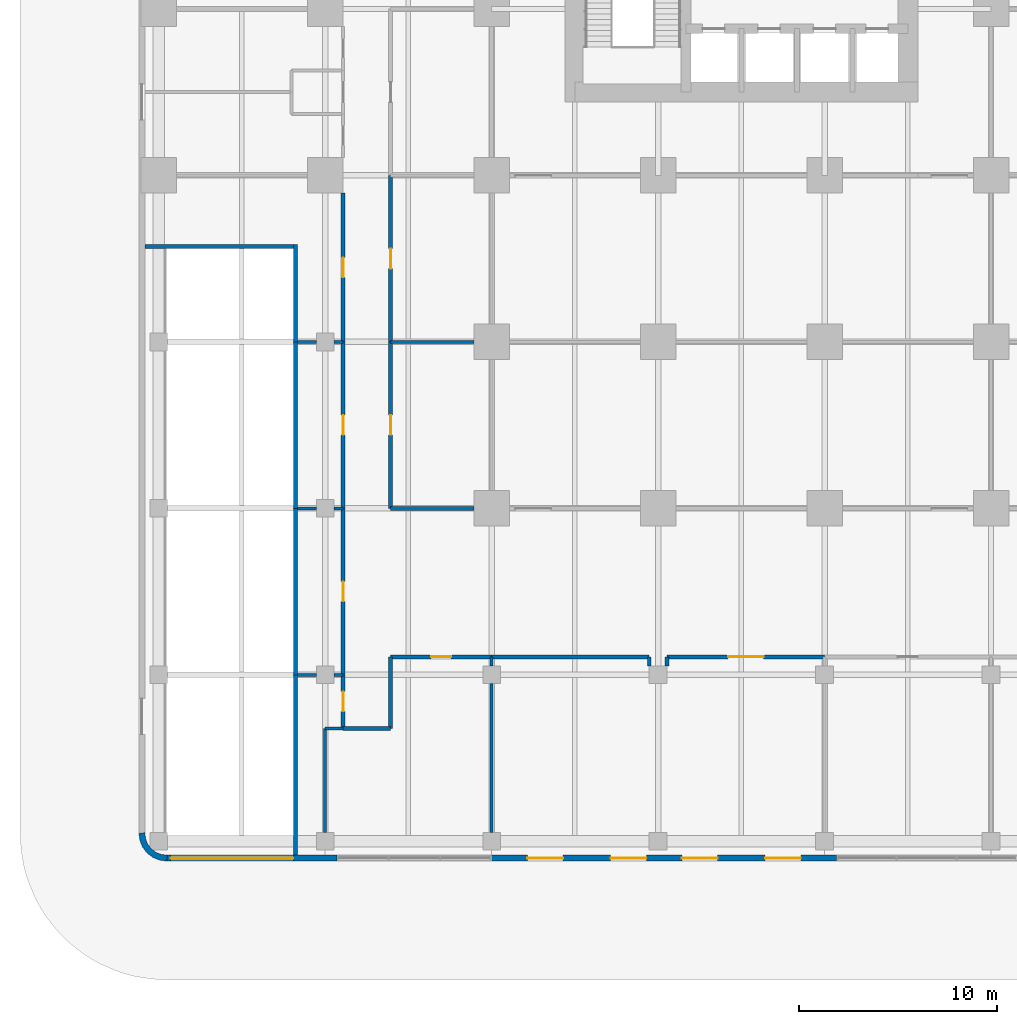
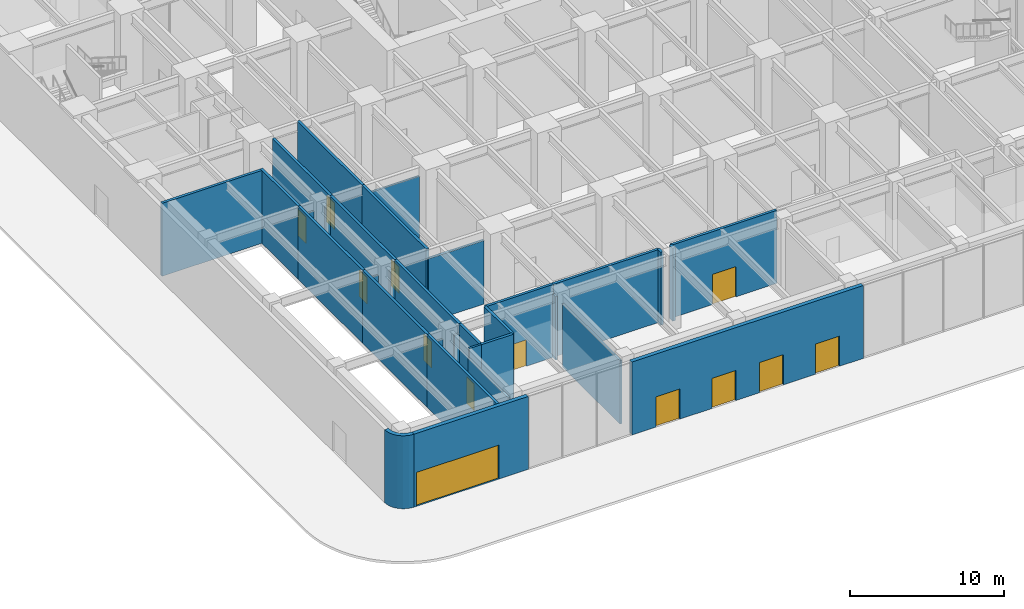
# One storey, part 10 of 21: 33 walls, 13 doors, 13 openings.
"""IFC4 building model written with IfcOpenShell, lengths in metres."""

from ifc_helpers import new_model, si_unit, direction, frame, frame_2d, origin, place, context, subcontext, project, spatial, polyline, rectangle, outline, extrude, material, layer, layer_set, type_object, element, fill, save


model = new_model("IFC4")

# Units and contexts
model_context = context("Model", 3, precision=1e-05, world=origin(), true_north=direction((0.0, 1.0)))
body_context = subcontext(model_context, "Body", "Model", "MODEL_VIEW")
ifc_project = project(units=[si_unit("LENGTHUNIT", "METRE"), si_unit("AREAUNIT", "SQUARE_METRE"), si_unit("VOLUMEUNIT", "CUBIC_METRE"), si_unit("PLANEANGLEUNIT", "RADIAN"), si_unit("MASSUNIT", "GRAM", prefix="KILO")], contexts=[model_context])

# Site, building, storey
site_placement = place(None, origin())
site = spatial("IfcSite", under=ifc_project, at=site_placement, CompositionType="ELEMENT")
building_placement = place(site_placement, origin())
building = spatial("IfcBuilding", under=site, at=building_placement, Name="Torre Alcanfor", CompositionType="ELEMENT")
storey_placement = place(building_placement, origin())
storey = spatial("IfcBuildingStorey", under=building, at=storey_placement, Name="L00", CompositionType="ELEMENT", Elevation=0.0)

# Walls
ifc_material_1 = material(Name="Concrete block masonry, hollow blocks NMX-C-404 9 MPa", Category="masonry")
ifc_layer_1 = layer(ifc_material_1, 0.14990234375)
ifc_layer_set_1 = layer_set([ifc_layer_1], Name="Classroom partition 150")
wall_type_1 = type_object("IfcWallType", Name="Classroom partition 150", PredefinedType="PARTITIONING", material=ifc_layer_set_1)
wall_1_placement = place(storey_placement, frame((8.39990234375, -16.35009765625, 0.0), z_axis=(0.0, 0.0, 1.0), x_axis=(0.0, 1.0, 0.0)))
element("IfcWall", 1, at=wall_1_placement, inside=storey, type_object=wall_type_1, Name="Partition L00-01 / L00-04", PredefinedType="PARTITIONING", context=body_context, shape_type="SweptSolid", body=[
    extrude(rectangle(XDim=5.25, YDim=0.14990234375, at=frame_2d((2.625, 0.0))), origin(), (0.0, 0.0, 1.0), 5.043212890625),
])
wall_2_placement = place(storey_placement, frame((8.39990234375, -11.10009765625, 0.0), z_axis=(0.0, 0.0, 1.0), x_axis=(1.0, 0.0, 0.0)))
element("IfcWall", 2, at=wall_2_placement, inside=storey, type_object=wall_type_1, Name="Partition L00-01 / L00-04", PredefinedType="PARTITIONING", context=body_context, shape_type="SweptSolid", body=[
    extrude(rectangle(XDim=0.900146484375, YDim=0.14990234375, at=frame_2d((0.4501953125, 0.0))), origin(), (0.0, 0.0, 1.0), 5.800048828125),
])
wall_3_placement = place(storey_placement, frame((16.800048828125, -8.85009765625, 0.0), z_axis=(0.0, 0.0, 1.0), x_axis=(0.0, -1.0, 0.0)))
element("IfcWall", 3, at=wall_3_placement, inside=storey, type_object=wall_type_1, Name="Partition L00-01 / L00-05", PredefinedType="PARTITIONING", context=body_context, shape_type="SweptSolid", body=[
    extrude(rectangle(XDim=7.5, YDim=0.14990234375, at=frame_2d((3.75, 0.0))), origin(), (0.0, 0.0, 1.0), 5.043212890625),
])
wall_4_placement = place(storey_placement, frame((16.800048828125, -7.5, 0.0), z_axis=(0.0, 0.0, 1.0), x_axis=(0.0, -1.0, 0.0)))
element("IfcWall", 4, at=wall_4_placement, inside=storey, type_object=wall_type_1, Name="Partition L00-01 / L00-05", PredefinedType="PARTITIONING", context=body_context, shape_type="SweptSolid", body=[
    extrude(rectangle(XDim=0.449951171875, YDim=0.14990234375, at=frame_2d((0.22509765625, 0.0))), origin(), (0.0, 0.0, 1.0), 5.043212890625),
])
wall_5_placement = place(storey_placement, frame((7.0, -8.39990234375, 0.0), z_axis=(0.0, 0.0, 1.0), x_axis=(1.0, 0.0, 0.0)))
element("IfcWall", 5, at=wall_5_placement, inside=storey, type_object=wall_type_1, Name="Partition L00-04 / L00-07", PredefinedType="PARTITIONING", context=body_context, shape_type="SweptSolid", body=[
    extrude(rectangle(XDim=0.949951171875, YDim=0.14990234375, at=frame_2d((0.47509765625, 0.0))), origin(), (0.0, 0.0, 1.0), 5.043212890625),
])
wall_6_placement = place(storey_placement, frame((8.85009765625, -8.39990234375, 0.0), z_axis=(0.0, 0.0, 1.0), x_axis=(1.0, 0.0, 0.0)))
element("IfcWall", 6, at=wall_6_placement, inside=storey, type_object=wall_type_1, Name="Partition L00-04 / L00-07", PredefinedType="PARTITIONING", context=body_context, shape_type="SweptSolid", body=[
    extrude(rectangle(XDim=0.449951171875, YDim=0.14990234375, at=frame_2d((0.22509765625, 0.0))), origin(), (0.0, 0.0, 1.0), 5.043212890625),
])
wall_7_placement = place(storey_placement, frame((7.0, 0.0, 0.0), z_axis=(0.0, 0.0, 1.0), x_axis=(1.0, 0.0, 0.0)))
element("IfcWall", 7, at=wall_7_placement, inside=storey, type_object=wall_type_1, Name="Partition L00-07 / L00-09", PredefinedType="PARTITIONING", context=body_context, shape_type="SweptSolid", body=[
    extrude(rectangle(XDim=0.949951171875, YDim=0.14990234375, at=frame_2d((0.47509765625, 0.0))), origin(), (0.0, 0.0, 1.0), 5.043212890625),
])
wall_8_placement = place(storey_placement, frame((8.85009765625, 0.0, 0.0), z_axis=(0.0, 0.0, 1.0), x_axis=(1.0, 0.0, 0.0)))
element("IfcWall", 8, at=wall_8_placement, inside=storey, type_object=wall_type_1, Name="Partition L00-07 / L00-09", PredefinedType="PARTITIONING", context=body_context, shape_type="SweptSolid", body=[
    extrude(rectangle(XDim=0.449951171875, YDim=0.14990234375, at=frame_2d((0.22509765625, 0.0))), origin(), (0.0, 0.0, 1.0), 5.043212890625),
])
wall_9_placement = place(storey_placement, frame((7.0, 8.39990234375, 0.0), z_axis=(0.0, 0.0, 1.0), x_axis=(1.0, 0.0, 0.0)))
element("IfcWall", 9, at=wall_9_placement, inside=storey, type_object=wall_type_1, Name="Partition L00-09 / L00-12", PredefinedType="PARTITIONING", context=body_context, shape_type="SweptSolid", body=[
    extrude(rectangle(XDim=0.949951171875, YDim=0.14990234375, at=frame_2d((0.47509765625, 0.0))), origin(), (0.0, 0.0, 1.0), 5.043212890625),
])
wall_10_placement = place(storey_placement, frame((8.85009765625, 8.39990234375, 0.0), z_axis=(0.0, 0.0, 1.0), x_axis=(1.0, 0.0, 0.0)))
element("IfcWall", 10, at=wall_10_placement, inside=storey, type_object=wall_type_1, Name="Partition L00-09 / L00-12", PredefinedType="PARTITIONING", context=body_context, shape_type="SweptSolid", body=[
    extrude(rectangle(XDim=0.449951171875, YDim=0.14990234375, at=frame_2d((0.22509765625, 0.0))), origin(), (0.0, 0.0, 1.0), 5.043212890625),
])
wall_11_placement = place(storey_placement, frame((11.699951171875, 8.39990234375, 0.0), z_axis=(0.0, 0.0, 1.0), x_axis=(1.0, 0.0, 0.0)))
element("IfcWall", 11, at=wall_11_placement, inside=storey, type_object=wall_type_1, Name="Partition L00-I01 / L00-I04", PredefinedType="PARTITIONING", context=body_context, shape_type="SweptSolid", body=[
    extrude(rectangle(XDim=4.199951171875, YDim=0.14990234375, at=frame_2d((2.10009765625, 0.0))), origin(), (0.0, 0.0, 1.0), 5.043212890625),
])

# Wall, opening, door
ifc_material_2 = material(Name="Limestone cladding", Category="masonry")
ifc_layer_2 = layer(ifc_material_2, 0.0400390625, Name="Facing")
ifc_material_3 = material(Name="Ventilated air cavity")
ifc_layer_3 = layer(ifc_material_3, 0.02001953125, ventilated=True, Name="Ventilated joint")
ifc_material_4 = material(Name="Mineral wool insulation", Category="insulation")
ifc_layer_4 = layer(ifc_material_4, 0.10009765625, Name="Insulation")
ifc_material_5 = material(Name="Concrete f'c 35 MPa", Category="concrete")
ifc_layer_5 = layer(ifc_material_5, 0.139892578125, Name="Backing")
ifc_layer_set_2 = layer_set([ifc_layer_2, ifc_layer_3, ifc_layer_4, ifc_layer_5], Name="External wall stone-clad 300")
wall_type_2 = type_object("IfcWallType", Name="External wall stone-clad 300", PredefinedType="SOLIDWALL", material=ifc_layer_set_2)
wall_12_placement = place(storey_placement, frame((0.39990234375, -17.64990234375, 0.0), z_axis=(0.0, 0.0, 1.0), x_axis=(1.0, 0.0, 0.0)))
wall_12 = element("IfcWall", 12, at=wall_12_placement, inside=storey, type_object=wall_type_2, Name="External wall L00 S 1", PredefinedType="SOLIDWALL", context=body_context, shape_type="SweptSolid", body=[
    extrude(rectangle(XDim=8.60009765625, YDim=0.300048828125, at=frame_2d((4.300048828125, 0.0))), origin(), (0.0, 0.0, 1.0), 5.800048828125),
])
opening_1_placement = place(wall_12_placement, frame((0.199951171875, 0.0, 0.0)))
opening_1 = element("IfcOpeningElement", 13, at=opening_1_placement, cuts=wall_12, Name="Opening D-G1", PredefinedType="OPENING", context=body_context, shape_type="SweptSolid", body=[
    extrude(rectangle(XDim=6.199951171875, YDim=2.699951171875, at=frame_2d((3.10009765625, 1.35009765625))), frame((0.0, 0.159912109375, 0.0), z_axis=(0.0, -1.0, 0.0), x_axis=(1.0, 0.0, 0.0)), (0.0, 0.0, 1.0), 0.320068359375),
])
ifc_material_6 = material(Name="Galvanised steel sheet ASTM A653", Category="steel")
door_type_1 = type_object("IfcDoorType", Name="Car park entrance gate 6200x2700", OperationType="ROLLINGUP", PredefinedType="GATE", material=ifc_material_6)
door_1_placement = place(opening_1_placement, origin())
door_1 = element("IfcDoor", 14, at=door_1_placement, inside=storey, type_object=door_type_1, Name="Car door S 1", OperationType="ROLLINGUP", OverallHeight=2.699951171875, OverallWidth=6.199951171875, PredefinedType="GATE", context=body_context, shape_type="SweptSolid", body=[
    extrude(rectangle(XDim=6.199951171875, YDim=2.699951171875, at=frame_2d((3.10009765625, 1.35009765625))), frame((0.0, 0.02490234375, 0.0), z_axis=(0.0, -1.0, 0.0), x_axis=(1.0, 0.0, 0.0)), (0.0, 0.0, 1.0), 0.050048828125),
])
fill(opening_1, door_1)

# Wall, openings, doors
wall_13_placement = place(storey_placement, frame((16.800048828125, -17.64990234375, 0.0), z_axis=(0.0, 0.0, 1.0), x_axis=(1.0, 0.0, 0.0)))
wall_13 = element("IfcWall", 15, at=wall_13_placement, inside=storey, type_object=wall_type_2, Name="External wall L00 S 3", PredefinedType="SOLIDWALL", context=body_context, shape_type="SweptSolid", body=[
    extrude(rectangle(XDim=17.39990234375, YDim=0.300048828125, at=frame_2d((8.699951171875, 0.0))), origin(), (0.0, 0.0, 1.0), 5.800048828125),
])
opening_2_placement = place(wall_13_placement, frame((1.800048828125, 0.0, 0.0)))
opening_2 = element("IfcOpeningElement", 16, at=opening_2_placement, cuts=wall_13, Name="Opening D-E1", PredefinedType="OPENING", context=body_context, shape_type="SweptSolid", body=[
    extrude(rectangle(XDim=1.800048828125, YDim=2.39990234375, at=frame_2d((0.89990234375, 1.199951171875))), frame((0.0, 0.159912109375, 0.0), z_axis=(0.0, -1.0, 0.0), x_axis=(1.0, 0.0, 0.0)), (0.0, 0.0, 1.0), 0.320068359375),
])
opening_3_placement = place(wall_13_placement, frame((6.0, 0.0, 0.0)))
opening_3 = element("IfcOpeningElement", 17, at=opening_3_placement, cuts=wall_13, Name="Opening D-E1", PredefinedType="OPENING", context=body_context, shape_type="SweptSolid", body=[
    extrude(rectangle(XDim=1.800048828125, YDim=2.39990234375, at=frame_2d((0.89990234375, 1.199951171875))), frame((0.0, 0.159912109375, 0.0), z_axis=(0.0, -1.0, 0.0), x_axis=(1.0, 0.0, 0.0)), (0.0, 0.0, 1.0), 0.320068359375),
])
opening_4_placement = place(wall_13_placement, frame((9.60009765625, 0.0, 0.0)))
opening_4 = element("IfcOpeningElement", 18, at=opening_4_placement, cuts=wall_13, Name="Opening D-E1", PredefinedType="OPENING", context=body_context, shape_type="SweptSolid", body=[
    extrude(rectangle(XDim=1.800048828125, YDim=2.39990234375, at=frame_2d((0.89990234375, 1.199951171875))), frame((0.0, 0.159912109375, 0.0), z_axis=(0.0, -1.0, 0.0), x_axis=(1.0, 0.0, 0.0)), (0.0, 0.0, 1.0), 0.320068359375),
])
opening_5_placement = place(wall_13_placement, frame((13.800048828125, 0.0, 0.0)))
opening_5 = element("IfcOpeningElement", 19, at=opening_5_placement, cuts=wall_13, Name="Opening D-E1", PredefinedType="OPENING", context=body_context, shape_type="SweptSolid", body=[
    extrude(rectangle(XDim=1.800048828125, YDim=2.39990234375, at=frame_2d((0.89990234375, 1.199951171875))), frame((0.0, 0.159912109375, 0.0), z_axis=(0.0, -1.0, 0.0), x_axis=(1.0, 0.0, 0.0)), (0.0, 0.0, 1.0), 0.320068359375),
])
ifc_material_7 = material(Name="Aluminium and glass", Category="aluminium")
door_type_2 = type_object("IfcDoorType", Name="Entrance door glazed double 1800x2400", OperationType="DOUBLE_DOOR_SINGLE_SWING", PredefinedType="DOOR", material=ifc_material_7)
door_2_placement = place(opening_2_placement, frame((1.800048828125, 0.0, 0.0), z_axis=(0.0, 0.0, 1.0), x_axis=(-1.0, 0.0, 0.0)))
door_2 = element("IfcDoor", 20, at=door_2_placement, inside=storey, type_object=door_type_2, Name="Entrance door S 1", OperationType="DOUBLE_DOOR_SINGLE_SWING", OverallHeight=2.39990234375, OverallWidth=1.800048828125, PredefinedType="DOOR", context=body_context, shape_type="SweptSolid", body=[
    extrude(rectangle(XDim=1.800048828125, YDim=2.39990234375, at=frame_2d((0.900146484375, 1.199951171875))), frame((0.0, 0.025146484375, 0.0), z_axis=(0.0, -1.0, 0.0), x_axis=(1.0, 0.0, 0.0)), (0.0, 0.0, 1.0), 0.050048828125),
])
fill(opening_2, door_2)
door_3_placement = place(opening_3_placement, frame((1.800048828125, 0.0, 0.0), z_axis=(0.0, 0.0, 1.0), x_axis=(-1.0, 0.0, 0.0)))
door_3 = element("IfcDoor", 21, at=door_3_placement, inside=storey, type_object=door_type_2, Name="Entrance door S 2", OperationType="DOUBLE_DOOR_SINGLE_SWING", OverallHeight=2.39990234375, OverallWidth=1.800048828125, PredefinedType="DOOR", context=body_context, shape_type="SweptSolid", body=[
    extrude(rectangle(XDim=1.800048828125, YDim=2.39990234375, at=frame_2d((0.900146484375, 1.199951171875))), frame((0.0, 0.025146484375, 0.0), z_axis=(0.0, -1.0, 0.0), x_axis=(1.0, 0.0, 0.0)), (0.0, 0.0, 1.0), 0.050048828125),
])
fill(opening_3, door_3)
door_4_placement = place(opening_4_placement, frame((1.800048828125, 0.0, 0.0), z_axis=(0.0, 0.0, 1.0), x_axis=(-1.0, 0.0, 0.0)))
door_4 = element("IfcDoor", 22, at=door_4_placement, inside=storey, type_object=door_type_2, Name="Entrance door S 3", OperationType="DOUBLE_DOOR_SINGLE_SWING", OverallHeight=2.39990234375, OverallWidth=1.800048828125, PredefinedType="DOOR", context=body_context, shape_type="SweptSolid", body=[
    extrude(rectangle(XDim=1.800048828125, YDim=2.39990234375, at=frame_2d((0.900146484375, 1.199951171875))), frame((0.0, 0.025146484375, 0.0), z_axis=(0.0, -1.0, 0.0), x_axis=(1.0, 0.0, 0.0)), (0.0, 0.0, 1.0), 0.050048828125),
])
fill(opening_4, door_4)
door_5_placement = place(opening_5_placement, frame((1.800048828125, 0.0, 0.0), z_axis=(0.0, 0.0, 1.0), x_axis=(-1.0, 0.0, 0.0)))
door_5 = element("IfcDoor", 23, at=door_5_placement, inside=storey, type_object=door_type_2, Name="Entrance door S 4", OperationType="DOUBLE_DOOR_SINGLE_SWING", OverallHeight=2.39990234375, OverallWidth=1.800048828125, PredefinedType="DOOR", context=body_context, shape_type="SweptSolid", body=[
    extrude(rectangle(XDim=1.800048828125, YDim=2.39990234375, at=frame_2d((0.900146484375, 1.199951171875))), frame((0.0, 0.025146484375, 0.0), z_axis=(0.0, -1.0, 0.0), x_axis=(1.0, 0.0, 0.0)), (0.0, 0.0, 1.0), 0.050048828125),
])
fill(opening_5, door_5)

# Walls
ifc_material_8 = material(Name="Concrete block masonry, hollow blocks NMX-C-404 9 MPa", Category="masonry")
ifc_layer_6 = layer(ifc_material_8, 0.199951171875)
ifc_layer_set_3 = layer_set([ifc_layer_6], Name="Ramp enclosure wall 200 EI 60")
wall_type_3 = type_object("IfcWallType", Name="Ramp enclosure wall 200 EI 60", PredefinedType="PARTITIONING", material=ifc_layer_set_3)
wall_14_placement = place(storey_placement, frame((6.89990234375, -17.5, 0.0), z_axis=(0.0, 0.0, 1.0), x_axis=(0.0, 1.0, 0.0)))
element("IfcWall", 24, at=wall_14_placement, inside=storey, type_object=wall_type_3, Name="Partition L00-04 / L00-RAMP", PredefinedType="PARTITIONING", context=body_context, shape_type="SweptSolid", body=[
    extrude(rectangle(XDim=9.10009765625, YDim=0.199951171875, at=frame_2d((4.550048828125, 0.0))), origin(), (0.0, 0.0, 1.0), 5.800048828125),
])
for number, where, z_axis, x_axis, name in (
    (25, (6.89990234375, -8.39990234375, 0.0), (0.0, 0.0, 1.0), (0.0, 1.0, 0.0), "Partition L00-07 / L00-RAMP"),
    (26, (6.89990234375, 0.0, 0.0), (0.0, 0.0, 1.0), (0.0, 1.0, 0.0), "Partition L00-09 / L00-RAMP"),
):
    element("IfcWall", number, at=place(storey_placement, frame(where, z_axis=z_axis, x_axis=x_axis)), inside=storey, type_object=wall_type_3, Name=name, PredefinedType="PARTITIONING", context=body_context, shape_type="SweptSolid", body=[
        extrude(rectangle(XDim=8.39990234375, YDim=0.199951171875, at=frame_2d((4.199951171875, 0.0))), origin(), (0.0, 0.0, 1.0), 5.800048828125),
    ])
wall_15_placement = place(storey_placement, frame((6.89990234375, 8.39990234375, 0.0), z_axis=(0.0, 0.0, 1.0), x_axis=(0.0, 1.0, 0.0)))
element("IfcWall", 27, at=wall_15_placement, inside=storey, type_object=wall_type_3, Name="Partition L00-12 / L00-RAMP", PredefinedType="PARTITIONING", context=body_context, shape_type="SweptSolid", body=[
    extrude(rectangle(XDim=4.900146484375, YDim=0.199951171875, at=frame_2d((2.4501953125, 0.0))), origin(), (0.0, 0.0, 1.0), 5.800048828125),
])
wall_16_placement = place(storey_placement, frame((6.800048828125, 13.199951171875, 0.0), z_axis=(0.0, 0.0, 1.0), x_axis=(-1.0, 0.0, 0.0)))
element("IfcWall", 28, at=wall_16_placement, inside=storey, type_object=wall_type_3, Name="Partition L00-12 / L00-RAMP", PredefinedType="PARTITIONING", context=body_context, shape_type="SweptSolid", body=[
    extrude(rectangle(XDim=7.5, YDim=0.199951171875, at=frame_2d((3.75, 0.0))), origin(), (0.0, 0.0, 1.0), 5.800048828125),
])
ifc_layer_7 = layer(ifc_material_2, 0.0400390625, Name="Facing")
ifc_layer_8 = layer(ifc_material_3, 0.02001953125, ventilated=True, Name="Ventilated joint")
ifc_layer_9 = layer(ifc_material_4, 0.10009765625, Name="Insulation")
ifc_layer_10 = layer(ifc_material_5, 0.139892578125, Name="Backing")
ifc_layer_set_4 = layer_set([ifc_layer_7, ifc_layer_8, ifc_layer_9, ifc_layer_10], Name="Rounded corner pier stone-clad 300")
wall_type_4 = type_object("IfcWallType", Name="Rounded corner pier stone-clad 300", PredefinedType="SOLIDWALL", material=ifc_layer_set_4)
wall_17_placement = place(storey_placement, frame((-0.847901787, -16.355188981, 0.0), z_axis=(0.0, 0.0, 1.0), x_axis=(-0.707106781187, -0.707106781187, 0.0)))
element("IfcWall", 29, at=wall_17_placement, inside=storey, type_object=wall_type_4, Name="Corner pier L00 7", PredefinedType="SOLIDWALL", context=body_context, shape_type="SweptSolid", body=[
    extrude(outline(polyline([(0.1393394333203346, 1.9040009582121555), (-0.10079375335703067, 1.719801022780992), (-0.08681044054548026, 1.7058177099694416), (0.09963373027519151, 1.4627497539365657), (0.20925599737808648, 1.1981026114661122), (0.2465448315422209, 0.9139478844560884), (0.20925599737808653, 0.630138424429066), (0.09963373027519157, 0.3654912819586125), (-0.08681044054548016, 0.12242332592573678), (-0.10079375335703054, 0.1084400131141864), (0.139166799828834, -0.07593255580847787), (0.3616913703731357, 0.21391907642106645), (0.5016971319801401, 0.5517628192877836), (0.5491713421428113, 0.9141205179475891), (0.5015244984886396, 1.276305583115894), (0.3616913703731357, 1.6139766924911105), (0.1393394333203346, 1.9040009582121555)])), origin(), (0.0, 0.0, 1.0), 5.800048828125),
])
ifc_material_9 = material(Name="Concrete block masonry, hollow blocks NMX-C-404 9 MPa", Category="masonry")
ifc_layer_11 = layer(ifc_material_9, 0.199951171875)
ifc_layer_set_5 = layer_set([ifc_layer_11], Name="School corridor wall 200")
wall_type_5 = type_object("IfcWallType", Name="School corridor wall 200", PredefinedType="PARTITIONING", material=ifc_layer_set_5)
wall_18_placement = place(storey_placement, frame((9.300048828125, -11.10009765625, 0.0), z_axis=(0.0, 0.0, 1.0), x_axis=(1.0, 0.0, 0.0)))
element("IfcWall", 30, at=wall_18_placement, inside=storey, type_object=wall_type_5, Name="Partition L00-01 / L00-CORR", PredefinedType="PARTITIONING", context=body_context, shape_type="SweptSolid", body=[
    extrude(rectangle(XDim=2.39990234375, YDim=0.199951171875, at=frame_2d((1.199951171875, 0.0))), origin(), (0.0, 0.0, 1.0), 5.800048828125),
])
wall_19_placement = place(storey_placement, frame((11.699951171875, -11.10009765625, 0.0), z_axis=(0.0, 0.0, 1.0), x_axis=(0.0, 1.0, 0.0)))
element("IfcWall", 31, at=wall_19_placement, inside=storey, type_object=wall_type_5, Name="Partition L00-01 / L00-CORR", PredefinedType="PARTITIONING", context=body_context, shape_type="SweptSolid", body=[
    extrude(rectangle(XDim=3.60009765625, YDim=0.199951171875, at=frame_2d((1.800048828125, 0.0))), origin(), (0.0, 0.0, 1.0), 5.800048828125),
])

# Wall, opening, door
wall_20_placement = place(storey_placement, frame((11.699951171875, -7.5, 0.0), z_axis=(0.0, 0.0, 1.0), x_axis=(1.0, 0.0, 0.0)))
wall_20 = element("IfcWall", 32, at=wall_20_placement, inside=storey, type_object=wall_type_5, Name="Partition L00-01 / L00-CORR", PredefinedType="PARTITIONING", context=body_context, shape_type="SweptSolid", body=[
    extrude(rectangle(XDim=5.10009765625, YDim=0.199951171875, at=frame_2d((2.550048828125, 0.0))), origin(), (0.0, 0.0, 1.0), 5.800048828125),
])
opening_6_placement = place(wall_20_placement, frame((2.050048828125, 0.0, 0.0)))
opening_6 = element("IfcOpeningElement", 33, at=opening_6_placement, cuts=wall_20, Name="Opening D-C1", PredefinedType="OPENING", context=body_context, shape_type="SweptSolid", body=[
    extrude(rectangle(XDim=1.0, YDim=2.10009765625, at=frame_2d((0.5, 1.050048828125))), frame((0.0, 0.10986328125, 0.0), z_axis=(0.0, -1.0, 0.0), x_axis=(1.0, 0.0, 0.0)), (0.0, 0.0, 1.0), 0.219970703125),
])
ifc_material_10 = material(Name="Timber", Category="wood")
door_type_3 = type_object("IfcDoorType", Name="Classroom door 1000x2100", OperationType="SINGLE_SWING_RIGHT", PredefinedType="DOOR", material=ifc_material_10)
door_6_placement = place(opening_6_placement, frame((1.0, 0.0, 0.0), z_axis=(0.0, 0.0, 1.0), x_axis=(-1.0, 0.0, 0.0)))
door_6 = element("IfcDoor", 34, at=door_6_placement, inside=storey, type_object=door_type_3, Name="Door L00-01 reception and school office", OperationType="SINGLE_SWING_RIGHT", OverallHeight=2.10009765625, OverallWidth=1.0, PredefinedType="DOOR", context=body_context, shape_type="SweptSolid", body=[
    extrude(rectangle(XDim=1.0, YDim=2.10009765625, at=frame_2d((0.5, 1.050048828125))), frame((0.0, 0.025146484375, 0.0), z_axis=(0.0, -1.0, 0.0), x_axis=(1.0, 0.0, 0.0)), (0.0, 0.0, 1.0), 0.050048828125),
])
fill(opening_6, door_6)

wall_21_placement = place(storey_placement, frame((9.300048828125, -8.39990234375, 0.0), z_axis=(0.0, 0.0, 1.0), x_axis=(0.0, -1.0, 0.0)))
wall_21 = element("IfcWall", 35, at=wall_21_placement, inside=storey, type_object=wall_type_5, Name="Partition L00-04 / L00-CORR", PredefinedType="PARTITIONING", context=body_context, shape_type="SweptSolid", body=[
    extrude(rectangle(XDim=2.7001953125, YDim=0.199951171875, at=frame_2d((1.35009765625, 0.0))), origin(), (0.0, 0.0, 1.0), 5.800048828125),
])
opening_7_placement = place(wall_21_placement, frame((0.85009765625, 0.0, 0.0)))
opening_7 = element("IfcOpeningElement", 36, at=opening_7_placement, cuts=wall_21, Name="Opening D-C1", PredefinedType="OPENING", context=body_context, shape_type="SweptSolid", body=[
    extrude(rectangle(XDim=1.0, YDim=2.10009765625, at=frame_2d((0.5, 1.050048828125))), frame((0.0, 0.10986328125, 0.0), z_axis=(0.0, -1.0, 0.0), x_axis=(1.0, 0.0, 0.0)), (0.0, 0.0, 1.0), 0.219970703125),
])
door_7_placement = place(opening_7_placement, frame((1.0, 0.0, 0.0), z_axis=(0.0, 0.0, 1.0), x_axis=(-1.0, 0.0, 0.0)))
door_7 = element("IfcDoor", 37, at=door_7_placement, inside=storey, type_object=door_type_3, Name="Door L00-04 stationery store", OperationType="SINGLE_SWING_RIGHT", OverallHeight=2.10009765625, OverallWidth=1.0, PredefinedType="DOOR", context=body_context, shape_type="SweptSolid", body=[
    extrude(rectangle(XDim=1.0, YDim=2.10009765625, at=frame_2d((0.5, 1.050048828125))), frame((0.0, 0.025146484375, 0.0), z_axis=(0.0, -1.0, 0.0), x_axis=(1.0, 0.0, 0.0)), (0.0, 0.0, 1.0), 0.050048828125),
])
fill(opening_7, door_7)

# Walls
wall_22_placement = place(storey_placement, frame((16.800048828125, -7.5, 0.0), z_axis=(0.0, 0.0, 1.0), x_axis=(1.0, 0.0, 0.0)))
element("IfcWall", 38, at=wall_22_placement, inside=storey, type_object=wall_type_5, Name="Partition L00-05 / L00-CORR", PredefinedType="PARTITIONING", context=body_context, shape_type="SweptSolid", body=[
    extrude(rectangle(XDim=7.949951171875, YDim=0.199951171875, at=frame_2d((3.97509765625, 0.0))), origin(), (0.0, 0.0, 1.0), 5.800048828125),
])
for number, where, z_axis, x_axis, name in (
    (39, (24.75, -7.5, 0.0), (0.0, 0.0, 1.0), (0.0, -1.0, 0.0), "Partition L00-05 / L00-CORR"),
    (40, (25.64990234375, -7.949951171875, 0.0), (0.0, 0.0, 1.0), (0.0, 1.0, 0.0), "Partition L00-05 / L00-CORR"),
):
    element("IfcWall", number, at=place(storey_placement, frame(where, z_axis=z_axis, x_axis=x_axis)), inside=storey, type_object=wall_type_5, Name=name, PredefinedType="PARTITIONING", context=body_context, shape_type="SweptSolid", body=[
        extrude(rectangle(XDim=0.449951171875, YDim=0.199951171875, at=frame_2d((0.22509765625, 0.0))), origin(), (0.0, 0.0, 1.0), 5.800048828125),
    ])

# Wall, opening, door
wall_23_placement = place(storey_placement, frame((25.64990234375, -7.5, 0.0), z_axis=(0.0, 0.0, 1.0), x_axis=(1.0, 0.0, 0.0)))
wall_23 = element("IfcWall", 41, at=wall_23_placement, inside=storey, type_object=wall_type_5, Name="Partition L00-05 / L00-CORR", PredefinedType="PARTITIONING", context=body_context, shape_type="SweptSolid", body=[
    extrude(rectangle(XDim=7.9501953125, YDim=0.199951171875, at=frame_2d((3.97509765625, 0.0))), origin(), (0.0, 0.0, 1.0), 5.800048828125),
])
opening_8_placement = place(wall_23_placement, frame((3.074951171875, 0.0, 0.0)))
opening_8 = element("IfcOpeningElement", 42, at=opening_8_placement, cuts=wall_23, Name="Opening D-C2", PredefinedType="OPENING", context=body_context, shape_type="SweptSolid", body=[
    extrude(rectangle(XDim=1.800048828125, YDim=2.39990234375, at=frame_2d((0.89990234375, 1.199951171875))), frame((0.0, 0.10986328125, 0.0), z_axis=(0.0, -1.0, 0.0), x_axis=(1.0, 0.0, 0.0)), (0.0, 0.0, 1.0), 0.219970703125),
])
ifc_material_11 = material(Name="Timber", Category="wood")
door_type_4 = type_object("IfcDoorType", Name="Double door 1800x2400", OperationType="DOUBLE_DOOR_SINGLE_SWING", PredefinedType="DOOR", material=ifc_material_11)
door_8_placement = place(opening_8_placement, frame((1.800048828125, 0.0, 0.0), z_axis=(0.0, 0.0, 1.0), x_axis=(-1.0, 0.0, 0.0)))
door_8 = element("IfcDoor", 43, at=door_8_placement, inside=storey, type_object=door_type_4, Name="Door L00-05 school entrance hall", OperationType="DOUBLE_DOOR_SINGLE_SWING", OverallHeight=2.39990234375, OverallWidth=1.800048828125, PredefinedType="DOOR", context=body_context, shape_type="SweptSolid", body=[
    extrude(rectangle(XDim=1.800048828125, YDim=2.39990234375, at=frame_2d((0.900146484375, 1.199951171875))), frame((0.0, 0.025146484375, 0.0), z_axis=(0.0, -1.0, 0.0), x_axis=(1.0, 0.0, 0.0)), (0.0, 0.0, 1.0), 0.050048828125),
])
fill(opening_8, door_8)

wall_24_placement = place(storey_placement, frame((9.300048828125, 0.0, 0.0), z_axis=(0.0, 0.0, 1.0), x_axis=(0.0, -1.0, 0.0)))
wall_24 = element("IfcWall", 44, at=wall_24_placement, inside=storey, type_object=wall_type_5, Name="Partition L00-07 / L00-CORR", PredefinedType="PARTITIONING", context=body_context, shape_type="SweptSolid", body=[
    extrude(rectangle(XDim=8.39990234375, YDim=0.199951171875, at=frame_2d((4.199951171875, 0.0))), origin(), (0.0, 0.0, 1.0), 5.800048828125),
])
opening_9_placement = place(wall_24_placement, frame((3.699951171875, 0.0, 0.0)))
opening_9 = element("IfcOpeningElement", 45, at=opening_9_placement, cuts=wall_24, Name="Opening D-C1", PredefinedType="OPENING", context=body_context, shape_type="SweptSolid", body=[
    extrude(rectangle(XDim=1.0, YDim=2.10009765625, at=frame_2d((0.5, 1.050048828125))), frame((0.0, 0.10986328125, 0.0), z_axis=(0.0, -1.0, 0.0), x_axis=(1.0, 0.0, 0.0)), (0.0, 0.0, 1.0), 0.219970703125),
])
door_9_placement = place(opening_9_placement, frame((1.0, 0.0, 0.0), z_axis=(0.0, 0.0, 1.0), x_axis=(-1.0, 0.0, 0.0)))
door_9 = element("IfcDoor", 46, at=door_9_placement, inside=storey, type_object=door_type_3, Name="Door L00-07 records store", OperationType="SINGLE_SWING_RIGHT", OverallHeight=2.10009765625, OverallWidth=1.0, PredefinedType="DOOR", context=body_context, shape_type="SweptSolid", body=[
    extrude(rectangle(XDim=1.0, YDim=2.10009765625, at=frame_2d((0.5, 1.050048828125))), frame((0.0, 0.025146484375, 0.0), z_axis=(0.0, -1.0, 0.0), x_axis=(1.0, 0.0, 0.0)), (0.0, 0.0, 1.0), 0.050048828125),
])
fill(opening_9, door_9)

wall_25_placement = place(storey_placement, frame((9.300048828125, 8.39990234375, 0.0), z_axis=(0.0, 0.0, 1.0), x_axis=(0.0, -1.0, 0.0)))
wall_25 = element("IfcWall", 47, at=wall_25_placement, inside=storey, type_object=wall_type_5, Name="Partition L00-09 / L00-CORR", PredefinedType="PARTITIONING", context=body_context, shape_type="SweptSolid", body=[
    extrude(rectangle(XDim=8.39990234375, YDim=0.199951171875, at=frame_2d((4.199951171875, 0.0))), origin(), (0.0, 0.0, 1.0), 5.800048828125),
])
opening_10_placement = place(wall_25_placement, frame((3.699951171875, 0.0, 0.0)))
opening_10 = element("IfcOpeningElement", 48, at=opening_10_placement, cuts=wall_25, Name="Opening D-C1", PredefinedType="OPENING", context=body_context, shape_type="SweptSolid", body=[
    extrude(rectangle(XDim=1.0, YDim=2.10009765625, at=frame_2d((0.5, 1.050048828125))), frame((0.0, 0.10986328125, 0.0), z_axis=(0.0, -1.0, 0.0), x_axis=(1.0, 0.0, 0.0)), (0.0, 0.0, 1.0), 0.219970703125),
])
door_10_placement = place(opening_10_placement, frame((1.0, 0.0, 0.0), z_axis=(0.0, 0.0, 1.0), x_axis=(-1.0, 0.0, 0.0)))
door_10 = element("IfcDoor", 49, at=door_10_placement, inside=storey, type_object=door_type_3, Name="Door L00-09 lost property store", OperationType="SINGLE_SWING_RIGHT", OverallHeight=2.10009765625, OverallWidth=1.0, PredefinedType="DOOR", context=body_context, shape_type="SweptSolid", body=[
    extrude(rectangle(XDim=1.0, YDim=2.10009765625, at=frame_2d((0.5, 1.050048828125))), frame((0.0, 0.025146484375, 0.0), z_axis=(0.0, -1.0, 0.0), x_axis=(1.0, 0.0, 0.0)), (0.0, 0.0, 1.0), 0.050048828125),
])
fill(opening_10, door_10)

wall_26_placement = place(storey_placement, frame((9.300048828125, 15.89990234375, 0.0), z_axis=(0.0, 0.0, 1.0), x_axis=(0.0, -1.0, 0.0)))
wall_26 = element("IfcWall", 50, at=wall_26_placement, inside=storey, type_object=wall_type_5, Name="Partition L00-12 / L00-CORR", PredefinedType="PARTITIONING", context=body_context, shape_type="SweptSolid", body=[
    extrude(rectangle(XDim=7.5, YDim=0.199951171875, at=frame_2d((3.75, 0.0))), origin(), (0.0, 0.0, 1.0), 5.800048828125),
])
opening_11_placement = place(wall_26_placement, frame((3.25, 0.0, 0.0)))
opening_11 = element("IfcOpeningElement", 51, at=opening_11_placement, cuts=wall_26, Name="Opening D-C1", PredefinedType="OPENING", context=body_context, shape_type="SweptSolid", body=[
    extrude(rectangle(XDim=1.0, YDim=2.10009765625, at=frame_2d((0.5, 1.050048828125))), frame((0.0, 0.10986328125, 0.0), z_axis=(0.0, -1.0, 0.0), x_axis=(1.0, 0.0, 0.0)), (0.0, 0.0, 1.0), 0.219970703125),
])
door_11_placement = place(opening_11_placement, frame((1.0, 0.0, 0.0), z_axis=(0.0, 0.0, 1.0), x_axis=(-1.0, 0.0, 0.0)))
door_11 = element("IfcDoor", 52, at=door_11_placement, inside=storey, type_object=door_type_3, Name="Door L00-12 nurse's room", OperationType="SINGLE_SWING_RIGHT", OverallHeight=2.10009765625, OverallWidth=1.0, PredefinedType="DOOR", context=body_context, shape_type="SweptSolid", body=[
    extrude(rectangle(XDim=1.0, YDim=2.10009765625, at=frame_2d((0.5, 1.050048828125))), frame((0.0, 0.025146484375, 0.0), z_axis=(0.0, -1.0, 0.0), x_axis=(1.0, 0.0, 0.0)), (0.0, 0.0, 1.0), 0.050048828125),
])
fill(opening_11, door_11)

wall_27_placement = place(storey_placement, frame((11.699951171875, 8.39990234375, 0.0), z_axis=(0.0, 0.0, 1.0), x_axis=(0.0, -1.0, 0.0)))
wall_27 = element("IfcWall", 53, at=wall_27_placement, inside=storey, type_object=wall_type_5, Name="Partition L00-CORR / L00-I01", PredefinedType="PARTITIONING", context=body_context, shape_type="SweptSolid", body=[
    extrude(rectangle(XDim=8.39990234375, YDim=0.199951171875, at=frame_2d((4.199951171875, 0.0))), origin(), (0.0, 0.0, 1.0), 5.800048828125),
])
opening_12_placement = place(wall_27_placement, frame((3.699951171875, 0.0, 0.0)))
opening_12 = element("IfcOpeningElement", 54, at=opening_12_placement, cuts=wall_27, Name="Opening D-C1", PredefinedType="OPENING", context=body_context, shape_type="SweptSolid", body=[
    extrude(rectangle(XDim=1.0, YDim=2.10009765625, at=frame_2d((0.5, 1.050048828125))), frame((0.0, 0.10986328125, 0.0), z_axis=(0.0, -1.0, 0.0), x_axis=(1.0, 0.0, 0.0)), (0.0, 0.0, 1.0), 0.219970703125),
])
door_12_placement = place(opening_12_placement, origin())
door_12 = element("IfcDoor", 55, at=door_12_placement, inside=storey, type_object=door_type_3, Name="Door L00-I01 store", OperationType="SINGLE_SWING_LEFT", OverallHeight=2.10009765625, OverallWidth=1.0, PredefinedType="DOOR", context=body_context, shape_type="SweptSolid", body=[
    extrude(rectangle(XDim=1.0, YDim=2.10009765625, at=frame_2d((0.5, 1.050048828125))), frame((0.0, 0.02490234375, 0.0), z_axis=(0.0, -1.0, 0.0), x_axis=(1.0, 0.0, 0.0)), (0.0, 0.0, 1.0), 0.050048828125),
])
fill(opening_12, door_12)

# Wall
wall_28_placement = place(storey_placement, frame((11.699951171875, 0.0, 0.0), z_axis=(0.0, 0.0, 1.0), x_axis=(1.0, 0.0, 0.0)))
element("IfcWall", 56, at=wall_28_placement, inside=storey, type_object=wall_type_5, Name="Partition L00-CORR / L00-I01", PredefinedType="PARTITIONING", context=body_context, shape_type="SweptSolid", body=[
    extrude(rectangle(XDim=4.199951171875, YDim=0.199951171875, at=frame_2d((2.10009765625, 0.0))), origin(), (0.0, 0.0, 1.0), 5.043212890625),
])

# Wall, opening, door
wall_29_placement = place(storey_placement, frame((11.699951171875, 16.800048828125, 0.0), z_axis=(0.0, 0.0, 1.0), x_axis=(0.0, -1.0, 0.0)))
wall_29 = element("IfcWall", 57, at=wall_29_placement, inside=storey, type_object=wall_type_5, Name="Partition L00-CORR / L00-I04", PredefinedType="PARTITIONING", context=body_context, shape_type="SweptSolid", body=[
    extrude(rectangle(XDim=8.400146484375, YDim=0.199951171875, at=frame_2d((4.2001953125, 0.0))), origin(), (0.0, 0.0, 1.0), 5.800048828125),
])
opening_13_placement = place(wall_29_placement, frame((3.699951171875, 0.0, 0.0)))
opening_13 = element("IfcOpeningElement", 58, at=opening_13_placement, cuts=wall_29, Name="Opening D-C1", PredefinedType="OPENING", context=body_context, shape_type="SweptSolid", body=[
    extrude(rectangle(XDim=1.0, YDim=2.10009765625, at=frame_2d((0.5, 1.050048828125))), frame((0.0, 0.10986328125, 0.0), z_axis=(0.0, -1.0, 0.0), x_axis=(1.0, 0.0, 0.0)), (0.0, 0.0, 1.0), 0.219970703125),
])
door_13_placement = place(opening_13_placement, origin())
door_13 = element("IfcDoor", 59, at=door_13_placement, inside=storey, type_object=door_type_3, Name="Door L00-I04 store", OperationType="SINGLE_SWING_LEFT", OverallHeight=2.10009765625, OverallWidth=1.0, PredefinedType="DOOR", context=body_context, shape_type="SweptSolid", body=[
    extrude(rectangle(XDim=1.0, YDim=2.10009765625, at=frame_2d((0.5, 1.050048828125))), frame((0.0, 0.02490234375, 0.0), z_axis=(0.0, -1.0, 0.0), x_axis=(1.0, 0.0, 0.0)), (0.0, 0.0, 1.0), 0.050048828125),
])
fill(opening_13, door_13)

save(model, "model.ifc")
